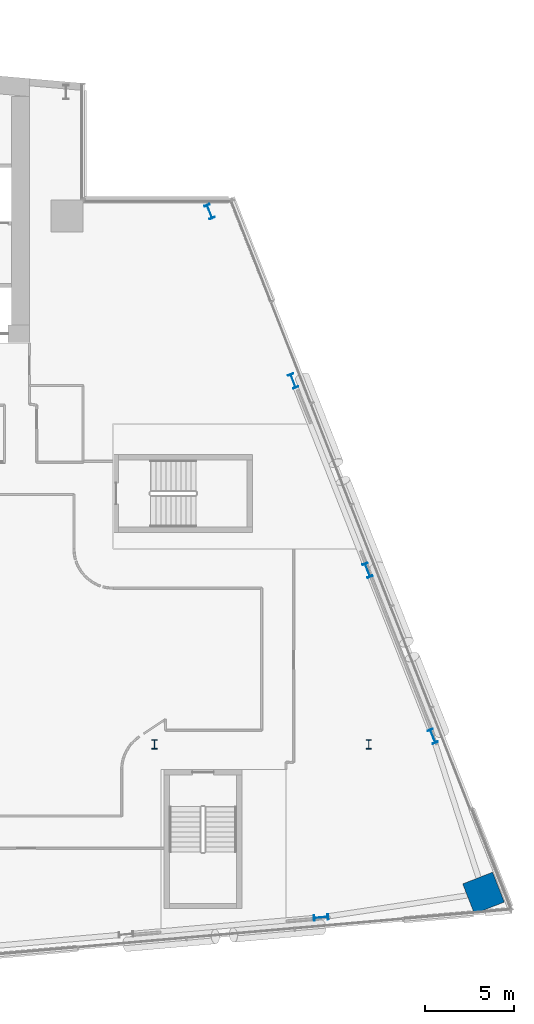
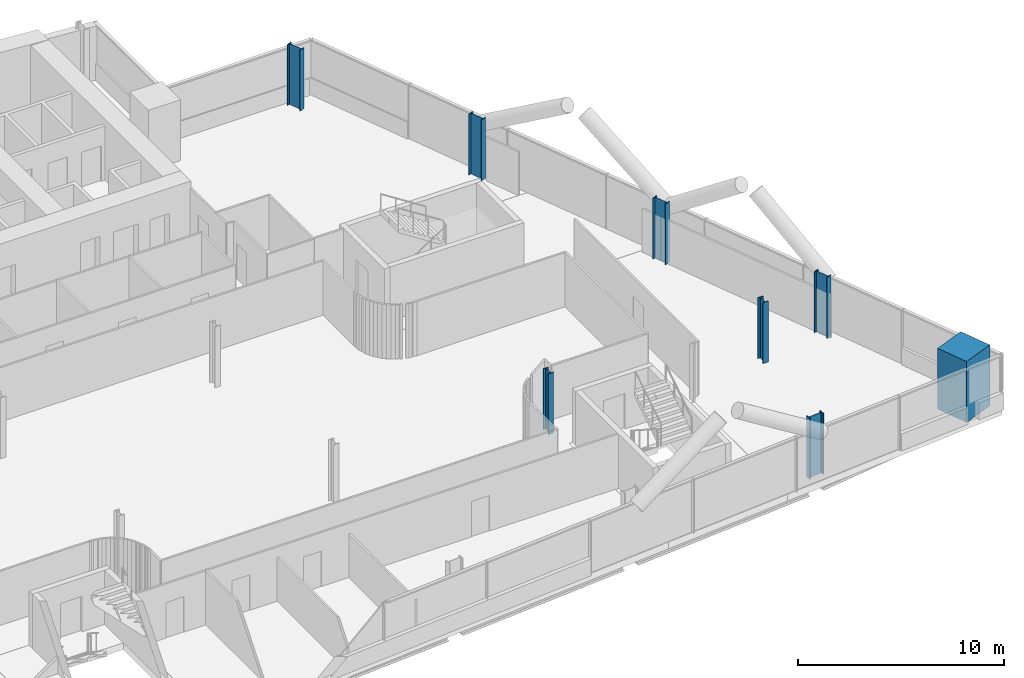
# One storey, part 4 of 30: 8 columns.
"""IFC4 building model written with IfcOpenShell, lengths in metres."""

from ifc_helpers import new_model, si_unit, direction, frame, origin, origin_2d, place, context, subcontext, project, spatial, rectangle, i_section, extrude, material, material_profile, profile_set, type_object, element, save


model = new_model("IFC4")

# Units and contexts
model_context = context("Model", 3, precision=1e-05, world=origin(), true_north=direction((0.0, 1.0)))
body_context = subcontext(model_context, "Body", "Model", "MODEL_VIEW")
ifc_project = project(units=[si_unit("LENGTHUNIT", "METRE"), si_unit("AREAUNIT", "SQUARE_METRE"), si_unit("VOLUMEUNIT", "CUBIC_METRE"), si_unit("PLANEANGLEUNIT", "RADIAN"), si_unit("MASSUNIT", "GRAM", prefix="KILO")], contexts=[model_context])

# Site, building, storey
site_placement = place(None, origin())
site = spatial("IfcSite", under=ifc_project, at=site_placement, CompositionType="ELEMENT")
building_placement = place(site_placement, origin())
building = spatial("IfcBuilding", under=site, at=building_placement, Name="Wharfspan Tower", CompositionType="ELEMENT")
storey_placement = place(building_placement, frame((0.0, 0.0, 100.300049)))
storey = spatial("IfcBuildingStorey", under=building, at=storey_placement, Name="L22", CompositionType="ELEMENT", Elevation=100.300049)

# Columns
ifc_material_1 = material(Name="Steel S355J2", Category="steel")
ifc_material_profile_1 = material_profile(ifc_material_1, i_section(OverallWidth=0.305908, OverallDepth=0.523926, WebThickness=0.020996, FlangeThickness=0.040039, FilletRadius=0.0271, at=origin_2d()))
ifc_profile_set_1 = profile_set([ifc_material_profile_1], Name="Steel S355J2")
column_type_1 = type_object("IfcColumnType", Name="Column HEM 500", PredefinedType="COLUMN", material=ifc_profile_set_1)
for number, where, z_axis, x_axis, name in (
    (1, (72.0, 11.5, 0.0), (0.0, 0.0, 1.0), (1.0, 0.0, 0.0), "Interior column I.1.6 L22"),
    (2, (84.0, 11.5, 0.0), (0.0, 0.0, 1.0), (1.0, 0.0, 0.0), "Interior column I.1.7 L22"),
):
    element("IfcColumn", number, at=place(storey_placement, frame(where, z_axis=z_axis, x_axis=x_axis)), inside=storey, type_object=column_type_1, Name=name, PredefinedType="COLUMN", context=body_context, shape_type="SweptSolid", body=[
        extrude(i_section(OverallWidth=0.305908, OverallDepth=0.523926, WebThickness=0.020996, FlangeThickness=0.040039, FilletRadius=0.0271, at=origin_2d()), origin(), (0.0, 0.0, 1.0), 3.599854),
    ])
ifc_material_profile_2 = material_profile(ifc_material_1, i_section(OverallWidth=0.302979, OverallDepth=0.813965, WebThickness=0.020996, FlangeThickness=0.040039, FilletRadius=0.030029, at=origin_2d()))
ifc_profile_set_2 = profile_set([ifc_material_profile_2], Name="Steel S355J2")
column_type_2 = type_object("IfcColumnType", Name="Column HEM 800", PredefinedType="COLUMN", material=ifc_profile_set_2)
for number, where, z_axis, x_axis, name in (
    (3, (81.327881, 1.80835, 0.0), (0.0, 0.0, 1.0), (0.087156, -0.996198, 0.0), "Perimeter column PS2.3 L22"),
    (4, (87.586914, 11.952393, 0.0), (0.0, 0.0, 1.0), (0.930702, 0.365778, 0.0), "Perimeter column PE.1 L22"),
    (5, (83.932617, 21.250977, 0.0), (0.0, 0.0, 1.0), (0.930702, 0.365778, 0.0), "Perimeter column PE.2 L22"),
    (6, (79.765869, 31.852539, 0.0), (0.0, 0.0, 1.0), (0.930702, 0.365778, 0.0), "Perimeter column PE.3 L22"),
    (7, (75.084961, 41.337646, 0.0), (0.0, 0.0, 1.0), (0.930702, 0.365778, 0.0), "Perimeter column PE.4 L22"),
):
    element("IfcColumn", number, at=place(storey_placement, frame(where, z_axis=z_axis, x_axis=x_axis)), inside=storey, type_object=column_type_2, Name=name, PredefinedType="COLUMN", context=body_context, shape_type="SweptSolid", body=[
        extrude(i_section(OverallWidth=0.302979, OverallDepth=0.813965, WebThickness=0.020996, FlangeThickness=0.040039, FilletRadius=0.030029, at=origin_2d()), origin(), (0.0, 0.0, 1.0), 3.599854),
    ])
ifc_material_2 = material(Name="Concrete C70/85", Category="concrete")
ifc_material_profile_3 = material_profile(ifc_material_2, rectangle(XDim=1.800049, YDim=1.800049, at=origin_2d()))
ifc_profile_set_3 = profile_set([ifc_material_profile_3], Name="Concrete C70/85")
column_type_3 = type_object("IfcColumnType", Name="Mega column 1800 C70/85", PredefinedType="COLUMN", material=ifc_profile_set_3)
column_placement = place(storey_placement, frame((90.427246, 3.174072, 0.0), z_axis=(0.0, 0.0, 1.0), x_axis=(-0.365778, 0.930702, 0.0)))
element("IfcColumn", 8, at=column_placement, inside=storey, type_object=column_type_3, Name="Mega column MC4 L22", PredefinedType="COLUMN", context=body_context, shape_type="SweptSolid", body=[
    extrude(rectangle(XDim=1.800049, YDim=1.800049, at=origin_2d()), origin(), (0.0, 0.0, 1.0), 3.599854),
])

save(model, "model.ifc")
